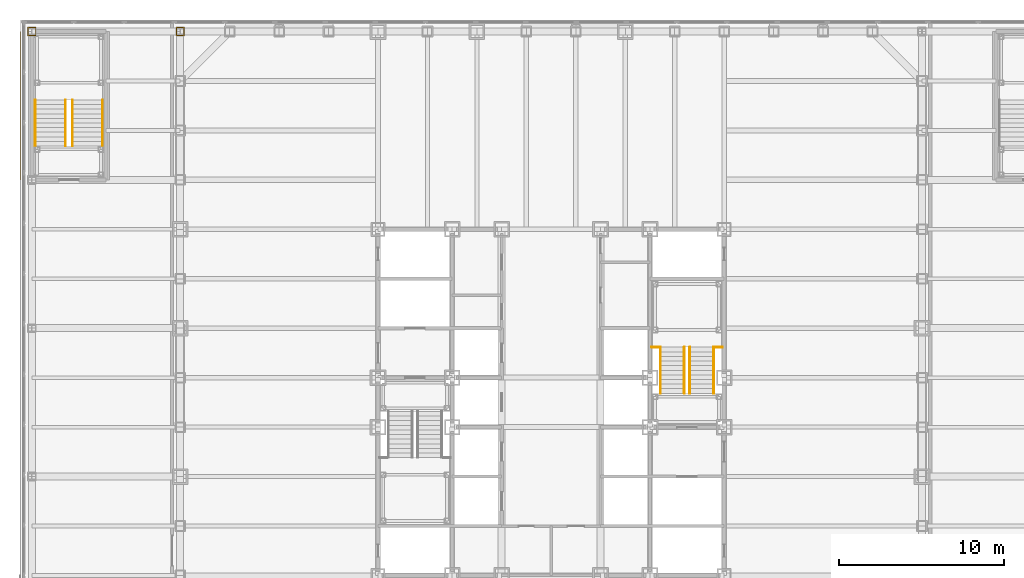
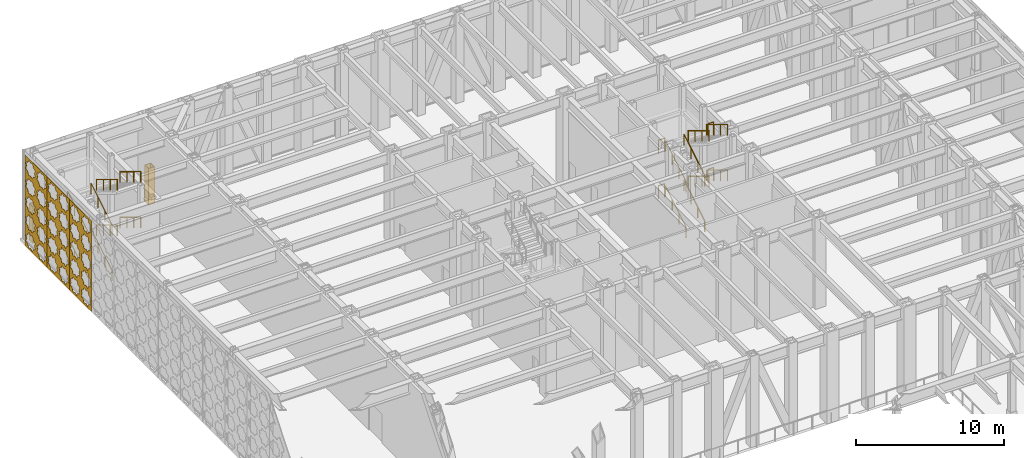
# One storey, part 29 of 34: 20 railings, 3 shading devices, 2 coverings.
"""IFC4 building model written with IfcOpenShell, lengths in metres."""

import ifcopenshell
import ifcopenshell.guid

model = None  # the IFC model being written
_history = None  # IfcOwnerHistory: only IFC2X3 demands one
_inside = {}  # id of a spatial element -> (the spatial element, [elements in it])
_under = {}  # id of a project, library or spatial element -> (it, [spatial elements below it])
_declared = {}  # id of a project -> (the project, [libraries it declares])
_typed = {}  # id of a type object -> (the type object, [elements of that type])
_made_of = {}  # id of a material, layer set ... -> (it, [elements and type objects made of it])


def new_model(schema):
    """Start an empty IFC model of exactly this schema.

    Asked for "IFC4X3", IfcOpenShell would pick the latest addendum, in which some entities
    have other attributes; the version numbers below select the first issue.
    IFC2X3 requires an IfcOwnerHistory on every rooted entity: one is made here for all.
    """
    global model, _history
    if schema == "IFC4X3":
        model = ifcopenshell.file(schema_version=(4, 3, 0, 0))
    else:
        model = ifcopenshell.file(schema=schema)
    _inside.clear()
    _under.clear()
    _declared.clear()
    _typed.clear()
    _made_of.clear()
    _history = None
    if model.schema == "IFC2X3":
        org = make("IfcOrganization", Name="unknown")
        user = make(
            "IfcPersonAndOrganization",
            ThePerson=make("IfcPerson", FamilyName="unknown"),
            TheOrganization=org,
        )
        app = make(
            "IfcApplication",
            ApplicationDeveloper=org,
            Version="unknown",
            ApplicationFullName="unknown",
            ApplicationIdentifier="unknown",
        )
        _history = make(
            "IfcOwnerHistory",
            OwningUser=user,
            OwningApplication=app,
            ChangeAction="ADDED",
            CreationDate=0,
        )
    return model


def make(cls, **values):
    """One entity of the class cls with the attributes given. An attribute that is None is left unset."""
    return model.create_entity(
        cls, **{name: value for name, value in values.items() if value is not None}
    )


def rooted(cls, **values):
    """An entity with a GlobalId (a new one), such as an element, a storey or a relation."""
    return make(cls, GlobalId=ifcopenshell.guid.new(), OwnerHistory=_history, **values)


def si_unit(unit_type, name, prefix=None):
    """IfcSIUnit, for example si_unit("LENGTHUNIT", "METRE", prefix="MILLI")."""
    return make("IfcSIUnit", UnitType=unit_type, Prefix=prefix, Name=name)


def assignment(units):
    """IfcUnitAssignment: the units of a project."""
    return None if units is None else make("IfcUnitAssignment", Units=units)


def point(xyz):
    """IfcCartesianPoint."""
    return None if xyz is None else make("IfcCartesianPoint", Coordinates=xyz)


def direction(xyz):
    """IfcDirection."""
    return None if xyz is None else make("IfcDirection", DirectionRatios=xyz)


def frame(location, z_axis=None, x_axis=None):
    """IfcAxis2Placement3D, a coordinate frame: its origin and axes. An axis left out is left unset."""
    return make(
        "IfcAxis2Placement3D",
        Location=point(location),
        Axis=direction(z_axis),
        RefDirection=direction(x_axis),
    )


def frame_2d(location, x_axis=None):
    """IfcAxis2Placement2D, a coordinate frame in the plane: its origin and x axis."""
    return make(
        "IfcAxis2Placement2D", Location=point(location), RefDirection=direction(x_axis)
    )


def origin():
    """The frame at (0, 0, 0) with its axes left unset."""
    return frame((0.0, 0.0, 0.0))


def origin_2d():
    """The frame at (0, 0) in the plane with its x axis left unset."""
    return frame_2d((0.0, 0.0))


def place(relative_to, where):
    """IfcLocalPlacement: puts the frame where relative to a parent placement (None: the world)."""
    return make(
        "IfcLocalPlacement", PlacementRelTo=relative_to, RelativePlacement=where
    )


def context(
    kind, dimensions, precision=None, world=None, true_north=None, identifier=None
):
    """IfcGeometricRepresentationContext, for example the 3D "Model" context."""
    return make(
        "IfcGeometricRepresentationContext",
        ContextIdentifier=identifier,
        ContextType=kind,
        CoordinateSpaceDimension=dimensions,
        Precision=precision,
        WorldCoordinateSystem=world,
        TrueNorth=true_north,
    )


def subcontext(parent, identifier, kind, view, scale=None):
    """IfcGeometricRepresentationSubContext, for example "Body" below "Model"."""
    return make(
        "IfcGeometricRepresentationSubContext",
        ContextIdentifier=identifier,
        ContextType=kind,
        ParentContext=parent,
        TargetScale=scale,
        TargetView=view,
    )


def project(units=None, contexts=None):
    """IfcProject with its units and contexts."""
    return rooted(
        "IfcProject",
        Name="project",
        RepresentationContexts=contexts,
        UnitsInContext=assignment(units),
    )


def spatial(cls, under=None, at=None, **own):
    """A site, building, storey or space (cls), placed at a placement, below another one or the project."""
    s = rooted(cls, ObjectPlacement=at, **own)
    if under is not None:
        _under.setdefault(under.id(), (under, []))[1].append(s)
    return s


def polyline(points):
    """IfcPolyline through the points."""
    return make("IfcPolyline", Points=[point(p) for p in points])


def profile(cls, at=None, kind="AREA", **sizes):
    """A parametric profile (cls). Its sizes go by their IFC names, for example OverallWidth=200.0."""
    return make(cls, ProfileType=kind, Position=at, **sizes)


def circle(**sizes):
    """IfcCircleProfileDef."""
    return profile("IfcCircleProfileDef", **sizes)


def outline(outer, holes=None, kind="AREA"):
    """IfcArbitraryClosedProfileDef: a profile drawn as a closed curve; with holes, ...WithVoids."""
    if holes is None:
        return make("IfcArbitraryClosedProfileDef", ProfileType=kind, OuterCurve=outer)
    return make(
        "IfcArbitraryProfileDefWithVoids",
        ProfileType=kind,
        OuterCurve=outer,
        InnerCurves=holes,
    )


def extrude(swept, where, along, depth):
    """IfcExtrudedAreaSolid: the profile swept, set in the frame where, extruded along a direction by depth."""
    return make(
        "IfcExtrudedAreaSolid",
        SweptArea=swept,
        Position=where,
        ExtrudedDirection=direction(along),
        Depth=depth,
    )


def shape(context_of_items, identifier, shape_type, items):
    """IfcShapeRepresentation: the items that make up one representation, for example the "Body"."""
    return make(
        "IfcShapeRepresentation",
        ContextOfItems=context_of_items,
        RepresentationIdentifier=identifier,
        RepresentationType=shape_type,
        Items=items,
    )


def material(Name=None, Category=None):
    """IfcMaterial."""
    return make("IfcMaterial", Name=Name, Category=Category)


def layer(
    of_material, thickness, ventilated=None, Name=None, Category=None, Priority=None
):
    """IfcMaterialLayer: one layer of a wall or slab, of a material (None: an air gap)."""
    return make(
        "IfcMaterialLayer",
        Material=of_material,
        LayerThickness=thickness,
        IsVentilated=ventilated,
        Name=Name,
        Category=Category,
        Priority=Priority,
    )


def layer_set(layers, Name=None):
    """IfcMaterialLayerSet."""
    return make("IfcMaterialLayerSet", MaterialLayers=layers, LayerSetName=Name)


def made_of(thing, what):
    """Note that an element or type object is made of a material, layer set ...; save() writes the relation."""
    if what is not None:
        _made_of.setdefault(what.id(), (what, []))[1].append(thing)
    return thing


def type_object(cls, material=None, **own):
    """A type object (cls), such as IfcWallType, which elements share."""
    return made_of(rooted(cls, **own), material)


def element(
    cls,
    number,
    at=None,
    inside=None,
    cuts=None,
    type_object=None,
    material=None,
    context=None,
    identifier="Body",
    shape_type=None,
    held_by="IfcProductDefinitionShape",
    body=None,
    shapes=None,
    **own,
):
    """One element of the class cls, such as IfcWall. Its Tag is "e" and its number.

    at: its placement. inside: the storey or other place that contains it. cuts: it is an
    opening in that element (IfcRelVoidsElement). A single representation is given by context,
    identifier, shape_type and body (its items); several are given by shapes. held_by: the class
    of the entity that holds the representations. save() writes the other relations.
    """
    e = rooted(cls, Tag="e%d" % number, ObjectPlacement=at, **own)
    if body is not None:
        shapes = [shape(context, identifier, shape_type, body)]
    if shapes is not None:
        e.Representation = make(held_by, Representations=shapes)
    if inside is not None:
        _inside.setdefault(inside.id(), (inside, []))[1].append(e)
    if cuts is not None:
        rooted(
            "IfcRelVoidsElement", RelatingBuildingElement=cuts, RelatedOpeningElement=e
        )
    if type_object is not None:
        _typed.setdefault(type_object.id(), (type_object, []))[1].append(e)
    return made_of(e, material)


def aggregate(whole, parts):
    """IfcRelAggregates: a whole, such as a stair, and the parts it consists of."""
    return rooted("IfcRelAggregates", RelatingObject=whole, RelatedObjects=parts)


def save(model, path):
    """Write the relations noted so far, then the file.

    IfcRelAggregates (storeys below a building ...), IfcRelContainedInSpatialStructure (elements
    in a storey), IfcRelDefinesByType, IfcRelAssociatesMaterial and IfcRelDeclares: one each for
    every whole, place, type object, material and project.
    """
    for whole, parts in _under.values():
        aggregate(whole, parts)
    for where, things in _inside.values():
        rooted(
            "IfcRelContainedInSpatialStructure",
            RelatedElements=things,
            RelatingStructure=where,
        )
    for kind, things in _typed.values():
        rooted("IfcRelDefinesByType", RelatedObjects=things, RelatingType=kind)
    for what, things in _made_of.values():
        rooted("IfcRelAssociatesMaterial", RelatedObjects=things, RelatingMaterial=what)
    for by, libraries in _declared.values():
        rooted("IfcRelDeclares", RelatingContext=by, RelatedDefinitions=libraries)
    model.write(path)


model = new_model("IFC4")

# Units and contexts
model_context = context("Model", 3, precision=1e-05, world=origin(), true_north=direction((0.0, 1.0)))
body_context = subcontext(model_context, "Body", "Model", "MODEL_VIEW")
ifc_project = project(units=[si_unit("LENGTHUNIT", "METRE"), si_unit("AREAUNIT", "SQUARE_METRE"), si_unit("VOLUMEUNIT", "CUBIC_METRE"), si_unit("PLANEANGLEUNIT", "RADIAN"), si_unit("MASSUNIT", "GRAM", prefix="KILO")], contexts=[model_context])

# Site, building, storey
site_placement = place(None, origin())
site = spatial("IfcSite", under=ifc_project, at=site_placement, CompositionType="ELEMENT")
building_placement = place(site_placement, origin())
building = spatial("IfcBuilding", under=site, at=building_placement, Name="Chuquiago Exchange Tower", CompositionType="ELEMENT")
storey_placement = place(building_placement, frame((0.0, 0.0, 6.0)))
storey = spatial("IfcBuildingStorey", under=building, at=storey_placement, Name="L01", CompositionType="ELEMENT", Elevation=6.0)

# Coverings
ifc_material_1 = material(Name="Pale metal sheet casing on rails", Category="aluminium")
ifc_layer_1 = layer(ifc_material_1, 0.050048828125)
ifc_layer_set_1 = layer_set([ifc_layer_1], Name="CS1 column casing 50")
covering_type = type_object("IfcCoveringType", Name="CS1 column casing 50", PredefinedType="CLADDING", material=ifc_layer_set_1)
covering_1_placement = place(storey_placement, origin())
element("IfcCovering", 1, at=covering_1_placement, inside=storey, type_object=covering_type, Name="Column casing L01", PredefinedType="CLADDING", context=body_context, shape_type="SweptSolid", body=[
    extrude(outline(polyline([(-9.255615234375, 44.73291015625), (-8.744384765625, 44.73291015625), (-8.744384765625, 45.26708984375), (-9.255615234375, 45.26708984375), (-9.255615234375, 44.73291015625)]), holes=[polyline([(-9.205810546875, 44.78271484375), (-9.205810546875, 45.21728515625), (-8.794189453125, 45.21728515625), (-8.794189453125, 44.78271484375), (-9.205810546875, 44.78271484375)])]), origin(), (0.0, 0.0, 1.0), 3.0),
])
covering_2_placement = place(storey_placement, origin())
element("IfcCovering", 2, at=covering_2_placement, inside=storey, type_object=covering_type, Name="Column casing L01", PredefinedType="CLADDING", context=body_context, shape_type="SweptSolid", body=[
    extrude(outline(polyline([(-0.255615234375, 44.73291015625), (0.255615234375, 44.73291015625), (0.255615234375, 45.26708984375), (-0.255615234375, 45.26708984375), (-0.255615234375, 44.73291015625)]), holes=[polyline([(-0.205810546875, 44.78271484375), (-0.205810546875, 45.21728515625), (0.205810546875, 45.21728515625), (0.205810546875, 44.78271484375), (-0.205810546875, 44.78271484375)])]), origin(), (0.0, 0.0, 1.0), 3.0),
])

# Railings
ifc_material_2 = material(Name="Pale metal guard with safety glass infill", Category="glass")
railing_type_1 = type_object("IfcRailingType", Name="GR1 guard 1100", PredefinedType="GUARDRAIL", material=ifc_material_2)
for number, where, name in (
    (3, (28.60009765625, 25.85009765625, 1.875), "Guard ST2 L01 landing 2"),
    (4, (32.445068359375, 25.85009765625, 1.875), "Guard ST2 L01 landing 2"),
    (5, (28.60009765625, 25.85009765625, 5.625), "Guard ST2 L01 landing 4"),
    (6, (32.445068359375, 25.85009765625, 5.625), "Guard ST2 L01 landing 4"),
):
    element("IfcRailing", number, at=place(storey_placement, frame(where)), inside=storey, type_object=railing_type_1, Name=name, PredefinedType="GUARDRAIL", context=body_context, shape_type="SweptSolid", body=[
        extrude(circle(Radius=0.02392578125, at=origin_2d()), frame((0.0, 0.0, 1.076171875), z_axis=(1.0, 0.0, 0.0), x_axis=(0.0, 1.0, 0.0)), (0.0, 0.0, 1.0), 0.454833984375),
        extrude(circle(Radius=0.02099609375, at=origin_2d()), origin(), (0.0, 0.0, 1.0), 1.052001953125),
        extrude(circle(Radius=0.02099609375, at=origin_2d()), frame((0.454833984375, 0.0, 0.0)), (0.0, 0.0, 1.0), 1.052001953125),
    ])
ifc_material_3 = material(Name="Pale metal handrail", Category="steel")
railing_type_2 = type_object("IfcRailingType", Name="HR1 handrail 900", PredefinedType="HANDRAIL", material=ifc_material_3)
for number, where, name in (
    (7, (30.5849609375, 23.050048828125, 0.17041015625), "Handrail ST2 L01 flight 1"),
    (8, (29.135009765625, 23.050048828125, 0.17041015625), "Handrail ST2 L01 flight 1"),
):
    element("IfcRailing", number, at=place(storey_placement, frame(where)), inside=storey, type_object=railing_type_2, Name=name, PredefinedType="HANDRAIL", context=body_context, shape_type="SweptSolid", body=[
        extrude(circle(Radius=0.02392578125, at=origin_2d()), frame((0.0, 0.0, 0.8759765625), z_axis=(0.0, 0.854169791009, 0.51999420009), x_axis=(-1.0, 0.0, 0.0)), (0.0, 0.0, 1.0), 3.278076171875),
        extrude(circle(Radius=0.02099609375, at=origin_2d()), origin(), (0.0, 0.0, 1.0), 0.851806640625),
        extrude(circle(Radius=0.02099609375, at=origin_2d()), frame((0.0, 0.933349609375, 0.568115234375)), (0.0, 0.0, 1.0), 0.851806640625),
        extrude(circle(Radius=0.02099609375, at=origin_2d()), frame((0.0, 1.86669921875, 1.136474609375)), (0.0, 0.0, 1.0), 0.851806640625),
        extrude(circle(Radius=0.02099609375, at=origin_2d()), frame((0.0, 2.800048828125, 1.70458984375)), (0.0, 0.0, 1.0), 0.851806640625),
    ])
for number, where, name in (
    (9, (30.9150390625, 25.85009765625, 2.04541015625), "Handrail ST2 L01 flight 2"),
    (10, (32.364990234375, 25.85009765625, 2.04541015625), "Handrail ST2 L01 flight 2"),
):
    element("IfcRailing", number, at=place(storey_placement, frame(where)), inside=storey, type_object=railing_type_2, Name=name, PredefinedType="HANDRAIL", context=body_context, shape_type="SweptSolid", body=[
        extrude(circle(Radius=0.02392578125, at=origin_2d()), frame((0.0, 0.0, 0.8759765625), z_axis=(0.0, -0.854169791009, 0.51999420009), x_axis=(1.0, 0.0, 0.0)), (0.0, 0.0, 1.0), 3.278076171875),
        extrude(circle(Radius=0.02099609375, at=origin_2d()), origin(), (0.0, 0.0, 1.0), 0.851806640625),
        extrude(circle(Radius=0.02099609375, at=origin_2d()), frame((0.0, -0.933349609375, 0.568115234375)), (0.0, 0.0, 1.0), 0.851806640625),
        extrude(circle(Radius=0.02099609375, at=origin_2d()), frame((0.0, -1.86669921875, 1.136474609375)), (0.0, 0.0, 1.0), 0.851806640625),
        extrude(circle(Radius=0.02099609375, at=origin_2d()), frame((0.0, -2.800048828125, 1.70458984375)), (0.0, 0.0, 1.0), 0.851806640625),
    ])
for number, where, name in (
    (11, (30.5849609375, 23.050048828125, 3.92041015625), "Handrail ST2 L01 flight 3"),
    (12, (29.135009765625, 23.050048828125, 3.92041015625), "Handrail ST2 L01 flight 3"),
):
    element("IfcRailing", number, at=place(storey_placement, frame(where)), inside=storey, type_object=railing_type_2, Name=name, PredefinedType="HANDRAIL", context=body_context, shape_type="SweptSolid", body=[
        extrude(circle(Radius=0.02392578125, at=origin_2d()), frame((0.0, 0.0, 0.8759765625), z_axis=(0.0, 0.854169791009, 0.51999420009), x_axis=(-1.0, 0.0, 0.0)), (0.0, 0.0, 1.0), 3.278076171875),
        extrude(circle(Radius=0.02099609375, at=origin_2d()), origin(), (0.0, 0.0, 1.0), 0.851806640625),
        extrude(circle(Radius=0.02099609375, at=origin_2d()), frame((0.0, 0.933349609375, 0.568115234375)), (0.0, 0.0, 1.0), 0.851806640625),
        extrude(circle(Radius=0.02099609375, at=origin_2d()), frame((0.0, 1.86669921875, 1.136474609375)), (0.0, 0.0, 1.0), 0.851806640625),
        extrude(circle(Radius=0.02099609375, at=origin_2d()), frame((0.0, 2.800048828125, 1.70458984375)), (0.0, 0.0, 1.0), 0.851806640625),
    ])
for number, where, name in (
    (13, (30.9150390625, 25.85009765625, 5.79541015625), "Handrail ST2 L01 flight 4"),
    (14, (32.364990234375, 25.85009765625, 5.79541015625), "Handrail ST2 L01 flight 4"),
):
    element("IfcRailing", number, at=place(storey_placement, frame(where)), inside=storey, type_object=railing_type_2, Name=name, PredefinedType="HANDRAIL", context=body_context, shape_type="SweptSolid", body=[
        extrude(circle(Radius=0.02392578125, at=origin_2d()), frame((0.0, 0.0, 0.8759765625), z_axis=(0.0, -0.854169791009, 0.51999420009), x_axis=(1.0, 0.0, 0.0)), (0.0, 0.0, 1.0), 3.278076171875),
        extrude(circle(Radius=0.02099609375, at=origin_2d()), origin(), (0.0, 0.0, 1.0), 0.851806640625),
        extrude(circle(Radius=0.02099609375, at=origin_2d()), frame((0.0, -0.933349609375, 0.568115234375)), (0.0, 0.0, 1.0), 0.851806640625),
        extrude(circle(Radius=0.02099609375, at=origin_2d()), frame((0.0, -1.86669921875, 1.136474609375)), (0.0, 0.0, 1.0), 0.851806640625),
        extrude(circle(Radius=0.02099609375, at=origin_2d()), frame((0.0, -2.800048828125, 1.70458984375)), (0.0, 0.0, 1.0), 0.851806640625),
    ])
for number, where, name in (
    (15, (-6.9599609375, 38.050048828125, 0.17041015625), "Handrail PS3 L01 flight 1"),
    (16, (-8.7900390625, 38.050048828125, 0.17041015625), "Handrail PS3 L01 flight 1"),
):
    element("IfcRailing", number, at=place(storey_placement, frame(where)), inside=storey, type_object=railing_type_2, Name=name, PredefinedType="HANDRAIL", context=body_context, shape_type="SweptSolid", body=[
        extrude(circle(Radius=0.02392578125, at=origin_2d()), frame((0.0, 0.0, 0.8759765625), z_axis=(0.0, 0.854169791009, 0.51999420009), x_axis=(-1.0, 0.0, 0.0)), (0.0, 0.0, 1.0), 3.278076171875),
        extrude(circle(Radius=0.02099609375, at=origin_2d()), origin(), (0.0, 0.0, 1.0), 0.851806640625),
        extrude(circle(Radius=0.02099609375, at=origin_2d()), frame((0.0, 0.933349609375, 0.568115234375)), (0.0, 0.0, 1.0), 0.851806640625),
        extrude(circle(Radius=0.02099609375, at=origin_2d()), frame((0.0, 1.86669921875, 1.136474609375)), (0.0, 0.0, 1.0), 0.851806640625),
        extrude(circle(Radius=0.02099609375, at=origin_2d()), frame((0.0, 2.800048828125, 1.70458984375)), (0.0, 0.0, 1.0), 0.851806640625),
    ])
for number, where, name in (
    (17, (-6.5400390625, 40.85009765625, 2.04541015625), "Handrail PS3 L01 flight 2"),
    (18, (-4.7099609375, 40.85009765625, 2.04541015625), "Handrail PS3 L01 flight 2"),
):
    element("IfcRailing", number, at=place(storey_placement, frame(where)), inside=storey, type_object=railing_type_2, Name=name, PredefinedType="HANDRAIL", context=body_context, shape_type="SweptSolid", body=[
        extrude(circle(Radius=0.02392578125, at=origin_2d()), frame((0.0, 0.0, 0.8759765625), z_axis=(0.0, -0.854169791009, 0.51999420009), x_axis=(1.0, 0.0, 0.0)), (0.0, 0.0, 1.0), 3.278076171875),
        extrude(circle(Radius=0.02099609375, at=origin_2d()), origin(), (0.0, 0.0, 1.0), 0.851806640625),
        extrude(circle(Radius=0.02099609375, at=origin_2d()), frame((0.0, -0.933349609375, 0.568115234375)), (0.0, 0.0, 1.0), 0.851806640625),
        extrude(circle(Radius=0.02099609375, at=origin_2d()), frame((0.0, -1.86669921875, 1.136474609375)), (0.0, 0.0, 1.0), 0.851806640625),
        extrude(circle(Radius=0.02099609375, at=origin_2d()), frame((0.0, -2.800048828125, 1.70458984375)), (0.0, 0.0, 1.0), 0.851806640625),
    ])
for number, where, name in (
    (19, (-6.9599609375, 38.050048828125, 3.92041015625), "Handrail PS3 L01 flight 3"),
    (20, (-8.7900390625, 38.050048828125, 3.92041015625), "Handrail PS3 L01 flight 3"),
):
    element("IfcRailing", number, at=place(storey_placement, frame(where)), inside=storey, type_object=railing_type_2, Name=name, PredefinedType="HANDRAIL", context=body_context, shape_type="SweptSolid", body=[
        extrude(circle(Radius=0.02392578125, at=origin_2d()), frame((0.0, 0.0, 0.8759765625), z_axis=(0.0, 0.854169791009, 0.51999420009), x_axis=(-1.0, 0.0, 0.0)), (0.0, 0.0, 1.0), 3.278076171875),
        extrude(circle(Radius=0.02099609375, at=origin_2d()), origin(), (0.0, 0.0, 1.0), 0.851806640625),
        extrude(circle(Radius=0.02099609375, at=origin_2d()), frame((0.0, 0.933349609375, 0.568115234375)), (0.0, 0.0, 1.0), 0.851806640625),
        extrude(circle(Radius=0.02099609375, at=origin_2d()), frame((0.0, 1.86669921875, 1.136474609375)), (0.0, 0.0, 1.0), 0.851806640625),
        extrude(circle(Radius=0.02099609375, at=origin_2d()), frame((0.0, 2.800048828125, 1.70458984375)), (0.0, 0.0, 1.0), 0.851806640625),
    ])
for number, where, name in (
    (21, (-6.5400390625, 40.85009765625, 5.79541015625), "Handrail PS3 L01 flight 4"),
    (22, (-4.7099609375, 40.85009765625, 5.79541015625), "Handrail PS3 L01 flight 4"),
):
    element("IfcRailing", number, at=place(storey_placement, frame(where)), inside=storey, type_object=railing_type_2, Name=name, PredefinedType="HANDRAIL", context=body_context, shape_type="SweptSolid", body=[
        extrude(circle(Radius=0.02392578125, at=origin_2d()), frame((0.0, 0.0, 0.8759765625), z_axis=(0.0, -0.854169791009, 0.51999420009), x_axis=(1.0, 0.0, 0.0)), (0.0, 0.0, 1.0), 3.278076171875),
        extrude(circle(Radius=0.02099609375, at=origin_2d()), origin(), (0.0, 0.0, 1.0), 0.851806640625),
        extrude(circle(Radius=0.02099609375, at=origin_2d()), frame((0.0, -0.933349609375, 0.568115234375)), (0.0, 0.0, 1.0), 0.851806640625),
        extrude(circle(Radius=0.02099609375, at=origin_2d()), frame((0.0, -1.86669921875, 1.136474609375)), (0.0, 0.0, 1.0), 0.851806640625),
        extrude(circle(Radius=0.02099609375, at=origin_2d()), frame((0.0, -2.800048828125, 1.70458984375)), (0.0, 0.0, 1.0), 0.851806640625),
    ])

# Shading devices
ifc_material_4 = material(Name="Pale metal, perforated in an eight-point star pattern", Category="aluminium")
ifc_layer_2 = layer(ifc_material_4, 0.02001953125)
ifc_layer_set_2 = layer_set([ifc_layer_2], Name="SC1 mashrabiya screen 20")
shading_device_type = type_object("IfcShadingDeviceType", Name="SC1 mashrabiya screen 20", PredefinedType="SHUTTER", material=ifc_layer_set_2)
shading_device_1_placement = place(storey_placement, frame((-9.699951171875, 38.989990234375, -0.199951171875), z_axis=(0.0, 0.0, 1.0), x_axis=(0.0, -1.0, 0.0)))
element("IfcShadingDevice", 23, at=shading_device_1_placement, inside=storey, type_object=shading_device_type, Name="Mashrabiya screen L01 W 19", PredefinedType="SHUTTER", context=body_context, shape_type="SweptSolid", body=[
    extrude(outline(polyline([(0.0, 0.0), (2.97998046875, 0.0), (2.97998046875, 7.5), (0.0, 7.5), (0.0, 0.0)]), holes=[polyline([(1.26953125, 0.77001953125), (1.378173828125, 1.0322265625), (1.115966796875, 1.140869140625), (1.00732421875, 1.403076171875), (0.7451171875, 1.29443359375), (0.482666015625, 1.403076171875), (0.3740234375, 1.140869140625), (0.11181640625, 1.0322265625), (0.220458984375, 0.77001953125), (0.11181640625, 0.507568359375), (0.3740234375, 0.39892578125), (0.482666015625, 0.13671875), (0.7451171875, 0.245361328125), (1.00732421875, 0.13671875), (1.115966796875, 0.39892578125), (1.378173828125, 0.507568359375), (1.26953125, 0.77001953125)]), polyline([(2.759521484375, 0.77001953125), (2.8681640625, 1.0322265625), (2.60595703125, 1.140869140625), (2.497314453125, 1.403076171875), (2.235107421875, 1.29443359375), (1.97265625, 1.403076171875), (1.864013671875, 1.140869140625), (1.601806640625, 1.0322265625), (1.71044921875, 0.77001953125), (1.601806640625, 0.507568359375), (1.864013671875, 0.39892578125), (1.97265625, 0.13671875), (2.235107421875, 0.245361328125), (2.497314453125, 0.13671875), (2.60595703125, 0.39892578125), (2.8681640625, 0.507568359375), (2.759521484375, 0.77001953125)]), polyline([(1.26953125, 2.260009765625), (1.378173828125, 2.522216796875), (1.115966796875, 2.630859375), (1.00732421875, 2.89306640625), (0.7451171875, 2.78466796875), (0.482666015625, 2.89306640625), (0.3740234375, 2.630859375), (0.11181640625, 2.522216796875), (0.220458984375, 2.260009765625), (0.11181640625, 1.99755859375), (0.3740234375, 1.888916015625), (0.482666015625, 1.626708984375), (0.7451171875, 1.7353515625), (1.00732421875, 1.626708984375), (1.115966796875, 1.888916015625), (1.378173828125, 1.99755859375), (1.26953125, 2.260009765625)]), polyline([(2.759521484375, 2.260009765625), (2.8681640625, 2.522216796875), (2.60595703125, 2.630859375), (2.497314453125, 2.89306640625), (2.235107421875, 2.78466796875), (1.97265625, 2.89306640625), (1.864013671875, 2.630859375), (1.601806640625, 2.522216796875), (1.71044921875, 2.260009765625), (1.601806640625, 1.99755859375), (1.864013671875, 1.888916015625), (1.97265625, 1.626708984375), (2.235107421875, 1.7353515625), (2.497314453125, 1.626708984375), (2.60595703125, 1.888916015625), (2.8681640625, 1.99755859375), (2.759521484375, 2.260009765625)]), polyline([(1.26953125, 3.75), (1.378173828125, 4.01220703125), (1.115966796875, 4.120849609375), (1.00732421875, 4.383056640625), (0.7451171875, 4.274658203125), (0.482666015625, 4.383056640625), (0.3740234375, 4.120849609375), (0.11181640625, 4.01220703125), (0.220458984375, 3.75), (0.11181640625, 3.487548828125), (0.3740234375, 3.37890625), (0.482666015625, 3.11669921875), (0.7451171875, 3.225341796875), (1.00732421875, 3.11669921875), (1.115966796875, 3.37890625), (1.378173828125, 3.487548828125), (1.26953125, 3.75)]), polyline([(2.759521484375, 3.75), (2.8681640625, 4.01220703125), (2.60595703125, 4.120849609375), (2.497314453125, 4.383056640625), (2.235107421875, 4.274658203125), (1.97265625, 4.383056640625), (1.864013671875, 4.120849609375), (1.601806640625, 4.01220703125), (1.71044921875, 3.75), (1.601806640625, 3.487548828125), (1.864013671875, 3.37890625), (1.97265625, 3.11669921875), (2.235107421875, 3.225341796875), (2.497314453125, 3.11669921875), (2.60595703125, 3.37890625), (2.8681640625, 3.487548828125), (2.759521484375, 3.75)]), polyline([(1.26953125, 5.239990234375), (1.378173828125, 5.502197265625), (1.115966796875, 5.61083984375), (1.00732421875, 5.873046875), (0.7451171875, 5.7646484375), (0.482666015625, 5.873046875), (0.3740234375, 5.61083984375), (0.11181640625, 5.502197265625), (0.220458984375, 5.239990234375), (0.11181640625, 4.9775390625), (0.3740234375, 4.868896484375), (0.482666015625, 4.606689453125), (0.7451171875, 4.71533203125), (1.00732421875, 4.606689453125), (1.115966796875, 4.868896484375), (1.378173828125, 4.9775390625), (1.26953125, 5.239990234375)]), polyline([(2.759521484375, 5.239990234375), (2.8681640625, 5.502197265625), (2.60595703125, 5.61083984375), (2.497314453125, 5.873046875), (2.235107421875, 5.7646484375), (1.97265625, 5.873046875), (1.864013671875, 5.61083984375), (1.601806640625, 5.502197265625), (1.71044921875, 5.239990234375), (1.601806640625, 4.9775390625), (1.864013671875, 4.868896484375), (1.97265625, 4.606689453125), (2.235107421875, 4.71533203125), (2.497314453125, 4.606689453125), (2.60595703125, 4.868896484375), (2.8681640625, 4.9775390625), (2.759521484375, 5.239990234375)]), polyline([(1.26953125, 6.72998046875), (1.378173828125, 6.9921875), (1.115966796875, 7.100830078125), (1.00732421875, 7.363037109375), (0.7451171875, 7.254638671875), (0.482666015625, 7.363037109375), (0.3740234375, 7.100830078125), (0.11181640625, 6.9921875), (0.220458984375, 6.72998046875), (0.11181640625, 6.467529296875), (0.3740234375, 6.35888671875), (0.482666015625, 6.0966796875), (0.7451171875, 6.205322265625), (1.00732421875, 6.0966796875), (1.115966796875, 6.35888671875), (1.378173828125, 6.467529296875), (1.26953125, 6.72998046875)]), polyline([(2.759521484375, 6.72998046875), (2.8681640625, 6.9921875), (2.60595703125, 7.100830078125), (2.497314453125, 7.363037109375), (2.235107421875, 7.254638671875), (1.97265625, 7.363037109375), (1.864013671875, 7.100830078125), (1.601806640625, 6.9921875), (1.71044921875, 6.72998046875), (1.601806640625, 6.467529296875), (1.864013671875, 6.35888671875), (1.97265625, 6.0966796875), (2.235107421875, 6.205322265625), (2.497314453125, 6.0966796875), (2.60595703125, 6.35888671875), (2.8681640625, 6.467529296875), (2.759521484375, 6.72998046875)])]), frame((0.0, 0.0, 0.0), z_axis=(0.0, -1.0, 0.0), x_axis=(1.0, 0.0, 0.0)), (0.0, 0.0, 1.0), 0.02001953125),
])
shading_device_2_placement = place(storey_placement, frame((-9.699951171875, 41.989990234375, -0.199951171875), z_axis=(0.0, 0.0, 1.0), x_axis=(0.0, -1.0, 0.0)))
element("IfcShadingDevice", 24, at=shading_device_2_placement, inside=storey, type_object=shading_device_type, Name="Mashrabiya screen L01 W 20", PredefinedType="SHUTTER", context=body_context, shape_type="SweptSolid", body=[
    extrude(outline(polyline([(0.0, 0.0), (2.97998046875, 0.0), (2.97998046875, 7.5), (0.0, 7.5), (0.0, 0.0)]), holes=[polyline([(1.26953125, 0.77001953125), (1.378173828125, 1.0322265625), (1.115966796875, 1.140869140625), (1.00732421875, 1.403076171875), (0.7451171875, 1.29443359375), (0.482666015625, 1.403076171875), (0.3740234375, 1.140869140625), (0.11181640625, 1.0322265625), (0.220458984375, 0.77001953125), (0.11181640625, 0.507568359375), (0.3740234375, 0.39892578125), (0.482666015625, 0.13671875), (0.7451171875, 0.245361328125), (1.00732421875, 0.13671875), (1.115966796875, 0.39892578125), (1.378173828125, 0.507568359375), (1.26953125, 0.77001953125)]), polyline([(2.759521484375, 0.77001953125), (2.8681640625, 1.0322265625), (2.60595703125, 1.140869140625), (2.497314453125, 1.403076171875), (2.235107421875, 1.29443359375), (1.97265625, 1.403076171875), (1.864013671875, 1.140869140625), (1.601806640625, 1.0322265625), (1.71044921875, 0.77001953125), (1.601806640625, 0.507568359375), (1.864013671875, 0.39892578125), (1.97265625, 0.13671875), (2.235107421875, 0.245361328125), (2.497314453125, 0.13671875), (2.60595703125, 0.39892578125), (2.8681640625, 0.507568359375), (2.759521484375, 0.77001953125)]), polyline([(1.26953125, 2.260009765625), (1.378173828125, 2.522216796875), (1.115966796875, 2.630859375), (1.00732421875, 2.89306640625), (0.7451171875, 2.78466796875), (0.482666015625, 2.89306640625), (0.3740234375, 2.630859375), (0.11181640625, 2.522216796875), (0.220458984375, 2.260009765625), (0.11181640625, 1.99755859375), (0.3740234375, 1.888916015625), (0.482666015625, 1.626708984375), (0.7451171875, 1.7353515625), (1.00732421875, 1.626708984375), (1.115966796875, 1.888916015625), (1.378173828125, 1.99755859375), (1.26953125, 2.260009765625)]), polyline([(2.759521484375, 2.260009765625), (2.8681640625, 2.522216796875), (2.60595703125, 2.630859375), (2.497314453125, 2.89306640625), (2.235107421875, 2.78466796875), (1.97265625, 2.89306640625), (1.864013671875, 2.630859375), (1.601806640625, 2.522216796875), (1.71044921875, 2.260009765625), (1.601806640625, 1.99755859375), (1.864013671875, 1.888916015625), (1.97265625, 1.626708984375), (2.235107421875, 1.7353515625), (2.497314453125, 1.626708984375), (2.60595703125, 1.888916015625), (2.8681640625, 1.99755859375), (2.759521484375, 2.260009765625)]), polyline([(1.26953125, 3.75), (1.378173828125, 4.01220703125), (1.115966796875, 4.120849609375), (1.00732421875, 4.383056640625), (0.7451171875, 4.274658203125), (0.482666015625, 4.383056640625), (0.3740234375, 4.120849609375), (0.11181640625, 4.01220703125), (0.220458984375, 3.75), (0.11181640625, 3.487548828125), (0.3740234375, 3.37890625), (0.482666015625, 3.11669921875), (0.7451171875, 3.225341796875), (1.00732421875, 3.11669921875), (1.115966796875, 3.37890625), (1.378173828125, 3.487548828125), (1.26953125, 3.75)]), polyline([(2.759521484375, 3.75), (2.8681640625, 4.01220703125), (2.60595703125, 4.120849609375), (2.497314453125, 4.383056640625), (2.235107421875, 4.274658203125), (1.97265625, 4.383056640625), (1.864013671875, 4.120849609375), (1.601806640625, 4.01220703125), (1.71044921875, 3.75), (1.601806640625, 3.487548828125), (1.864013671875, 3.37890625), (1.97265625, 3.11669921875), (2.235107421875, 3.225341796875), (2.497314453125, 3.11669921875), (2.60595703125, 3.37890625), (2.8681640625, 3.487548828125), (2.759521484375, 3.75)]), polyline([(1.26953125, 5.239990234375), (1.378173828125, 5.502197265625), (1.115966796875, 5.61083984375), (1.00732421875, 5.873046875), (0.7451171875, 5.7646484375), (0.482666015625, 5.873046875), (0.3740234375, 5.61083984375), (0.11181640625, 5.502197265625), (0.220458984375, 5.239990234375), (0.11181640625, 4.9775390625), (0.3740234375, 4.868896484375), (0.482666015625, 4.606689453125), (0.7451171875, 4.71533203125), (1.00732421875, 4.606689453125), (1.115966796875, 4.868896484375), (1.378173828125, 4.9775390625), (1.26953125, 5.239990234375)]), polyline([(2.759521484375, 5.239990234375), (2.8681640625, 5.502197265625), (2.60595703125, 5.61083984375), (2.497314453125, 5.873046875), (2.235107421875, 5.7646484375), (1.97265625, 5.873046875), (1.864013671875, 5.61083984375), (1.601806640625, 5.502197265625), (1.71044921875, 5.239990234375), (1.601806640625, 4.9775390625), (1.864013671875, 4.868896484375), (1.97265625, 4.606689453125), (2.235107421875, 4.71533203125), (2.497314453125, 4.606689453125), (2.60595703125, 4.868896484375), (2.8681640625, 4.9775390625), (2.759521484375, 5.239990234375)]), polyline([(1.26953125, 6.72998046875), (1.378173828125, 6.9921875), (1.115966796875, 7.100830078125), (1.00732421875, 7.363037109375), (0.7451171875, 7.254638671875), (0.482666015625, 7.363037109375), (0.3740234375, 7.100830078125), (0.11181640625, 6.9921875), (0.220458984375, 6.72998046875), (0.11181640625, 6.467529296875), (0.3740234375, 6.35888671875), (0.482666015625, 6.0966796875), (0.7451171875, 6.205322265625), (1.00732421875, 6.0966796875), (1.115966796875, 6.35888671875), (1.378173828125, 6.467529296875), (1.26953125, 6.72998046875)]), polyline([(2.759521484375, 6.72998046875), (2.8681640625, 6.9921875), (2.60595703125, 7.100830078125), (2.497314453125, 7.363037109375), (2.235107421875, 7.254638671875), (1.97265625, 7.363037109375), (1.864013671875, 7.100830078125), (1.601806640625, 6.9921875), (1.71044921875, 6.72998046875), (1.601806640625, 6.467529296875), (1.864013671875, 6.35888671875), (1.97265625, 6.0966796875), (2.235107421875, 6.205322265625), (2.497314453125, 6.0966796875), (2.60595703125, 6.35888671875), (2.8681640625, 6.467529296875), (2.759521484375, 6.72998046875)])]), frame((0.0, 0.0, 0.0), z_axis=(0.0, -1.0, 0.0), x_axis=(1.0, 0.0, 0.0)), (0.0, 0.0, 1.0), 0.02001953125),
])
shading_device_3_placement = place(storey_placement, frame((-9.699951171875, 44.989990234375, -0.199951171875), z_axis=(0.0, 0.0, 1.0), x_axis=(0.0, -1.0, 0.0)))
element("IfcShadingDevice", 25, at=shading_device_3_placement, inside=storey, type_object=shading_device_type, Name="Mashrabiya screen L01 W 21", PredefinedType="SHUTTER", context=body_context, shape_type="SweptSolid", body=[
    extrude(outline(polyline([(0.0, 0.0), (2.97998046875, 0.0), (2.97998046875, 7.5), (0.0, 7.5), (0.0, 0.0)]), holes=[polyline([(1.26953125, 0.77001953125), (1.378173828125, 1.0322265625), (1.115966796875, 1.140869140625), (1.00732421875, 1.403076171875), (0.7451171875, 1.29443359375), (0.482666015625, 1.403076171875), (0.3740234375, 1.140869140625), (0.11181640625, 1.0322265625), (0.220458984375, 0.77001953125), (0.11181640625, 0.507568359375), (0.3740234375, 0.39892578125), (0.482666015625, 0.13671875), (0.7451171875, 0.245361328125), (1.00732421875, 0.13671875), (1.115966796875, 0.39892578125), (1.378173828125, 0.507568359375), (1.26953125, 0.77001953125)]), polyline([(2.759521484375, 0.77001953125), (2.8681640625, 1.0322265625), (2.60595703125, 1.140869140625), (2.497314453125, 1.403076171875), (2.235107421875, 1.29443359375), (1.97265625, 1.403076171875), (1.864013671875, 1.140869140625), (1.601806640625, 1.0322265625), (1.71044921875, 0.77001953125), (1.601806640625, 0.507568359375), (1.864013671875, 0.39892578125), (1.97265625, 0.13671875), (2.235107421875, 0.245361328125), (2.497314453125, 0.13671875), (2.60595703125, 0.39892578125), (2.8681640625, 0.507568359375), (2.759521484375, 0.77001953125)]), polyline([(1.26953125, 2.260009765625), (1.378173828125, 2.522216796875), (1.115966796875, 2.630859375), (1.00732421875, 2.89306640625), (0.7451171875, 2.78466796875), (0.482666015625, 2.89306640625), (0.3740234375, 2.630859375), (0.11181640625, 2.522216796875), (0.220458984375, 2.260009765625), (0.11181640625, 1.99755859375), (0.3740234375, 1.888916015625), (0.482666015625, 1.626708984375), (0.7451171875, 1.7353515625), (1.00732421875, 1.626708984375), (1.115966796875, 1.888916015625), (1.378173828125, 1.99755859375), (1.26953125, 2.260009765625)]), polyline([(2.759521484375, 2.260009765625), (2.8681640625, 2.522216796875), (2.60595703125, 2.630859375), (2.497314453125, 2.89306640625), (2.235107421875, 2.78466796875), (1.97265625, 2.89306640625), (1.864013671875, 2.630859375), (1.601806640625, 2.522216796875), (1.71044921875, 2.260009765625), (1.601806640625, 1.99755859375), (1.864013671875, 1.888916015625), (1.97265625, 1.626708984375), (2.235107421875, 1.7353515625), (2.497314453125, 1.626708984375), (2.60595703125, 1.888916015625), (2.8681640625, 1.99755859375), (2.759521484375, 2.260009765625)]), polyline([(1.26953125, 3.75), (1.378173828125, 4.01220703125), (1.115966796875, 4.120849609375), (1.00732421875, 4.383056640625), (0.7451171875, 4.274658203125), (0.482666015625, 4.383056640625), (0.3740234375, 4.120849609375), (0.11181640625, 4.01220703125), (0.220458984375, 3.75), (0.11181640625, 3.487548828125), (0.3740234375, 3.37890625), (0.482666015625, 3.11669921875), (0.7451171875, 3.225341796875), (1.00732421875, 3.11669921875), (1.115966796875, 3.37890625), (1.378173828125, 3.487548828125), (1.26953125, 3.75)]), polyline([(2.759521484375, 3.75), (2.8681640625, 4.01220703125), (2.60595703125, 4.120849609375), (2.497314453125, 4.383056640625), (2.235107421875, 4.274658203125), (1.97265625, 4.383056640625), (1.864013671875, 4.120849609375), (1.601806640625, 4.01220703125), (1.71044921875, 3.75), (1.601806640625, 3.487548828125), (1.864013671875, 3.37890625), (1.97265625, 3.11669921875), (2.235107421875, 3.225341796875), (2.497314453125, 3.11669921875), (2.60595703125, 3.37890625), (2.8681640625, 3.487548828125), (2.759521484375, 3.75)]), polyline([(1.26953125, 5.239990234375), (1.378173828125, 5.502197265625), (1.115966796875, 5.61083984375), (1.00732421875, 5.873046875), (0.7451171875, 5.7646484375), (0.482666015625, 5.873046875), (0.3740234375, 5.61083984375), (0.11181640625, 5.502197265625), (0.220458984375, 5.239990234375), (0.11181640625, 4.9775390625), (0.3740234375, 4.868896484375), (0.482666015625, 4.606689453125), (0.7451171875, 4.71533203125), (1.00732421875, 4.606689453125), (1.115966796875, 4.868896484375), (1.378173828125, 4.9775390625), (1.26953125, 5.239990234375)]), polyline([(2.759521484375, 5.239990234375), (2.8681640625, 5.502197265625), (2.60595703125, 5.61083984375), (2.497314453125, 5.873046875), (2.235107421875, 5.7646484375), (1.97265625, 5.873046875), (1.864013671875, 5.61083984375), (1.601806640625, 5.502197265625), (1.71044921875, 5.239990234375), (1.601806640625, 4.9775390625), (1.864013671875, 4.868896484375), (1.97265625, 4.606689453125), (2.235107421875, 4.71533203125), (2.497314453125, 4.606689453125), (2.60595703125, 4.868896484375), (2.8681640625, 4.9775390625), (2.759521484375, 5.239990234375)]), polyline([(1.26953125, 6.72998046875), (1.378173828125, 6.9921875), (1.115966796875, 7.100830078125), (1.00732421875, 7.363037109375), (0.7451171875, 7.254638671875), (0.482666015625, 7.363037109375), (0.3740234375, 7.100830078125), (0.11181640625, 6.9921875), (0.220458984375, 6.72998046875), (0.11181640625, 6.467529296875), (0.3740234375, 6.35888671875), (0.482666015625, 6.0966796875), (0.7451171875, 6.205322265625), (1.00732421875, 6.0966796875), (1.115966796875, 6.35888671875), (1.378173828125, 6.467529296875), (1.26953125, 6.72998046875)]), polyline([(2.759521484375, 6.72998046875), (2.8681640625, 6.9921875), (2.60595703125, 7.100830078125), (2.497314453125, 7.363037109375), (2.235107421875, 7.254638671875), (1.97265625, 7.363037109375), (1.864013671875, 7.100830078125), (1.601806640625, 6.9921875), (1.71044921875, 6.72998046875), (1.601806640625, 6.467529296875), (1.864013671875, 6.35888671875), (1.97265625, 6.0966796875), (2.235107421875, 6.205322265625), (2.497314453125, 6.0966796875), (2.60595703125, 6.35888671875), (2.8681640625, 6.467529296875), (2.759521484375, 6.72998046875)])]), frame((0.0, 0.0, 0.0), z_axis=(0.0, -1.0, 0.0), x_axis=(1.0, 0.0, 0.0)), (0.0, 0.0, 1.0), 0.02001953125),
])

save(model, "model.ifc")
